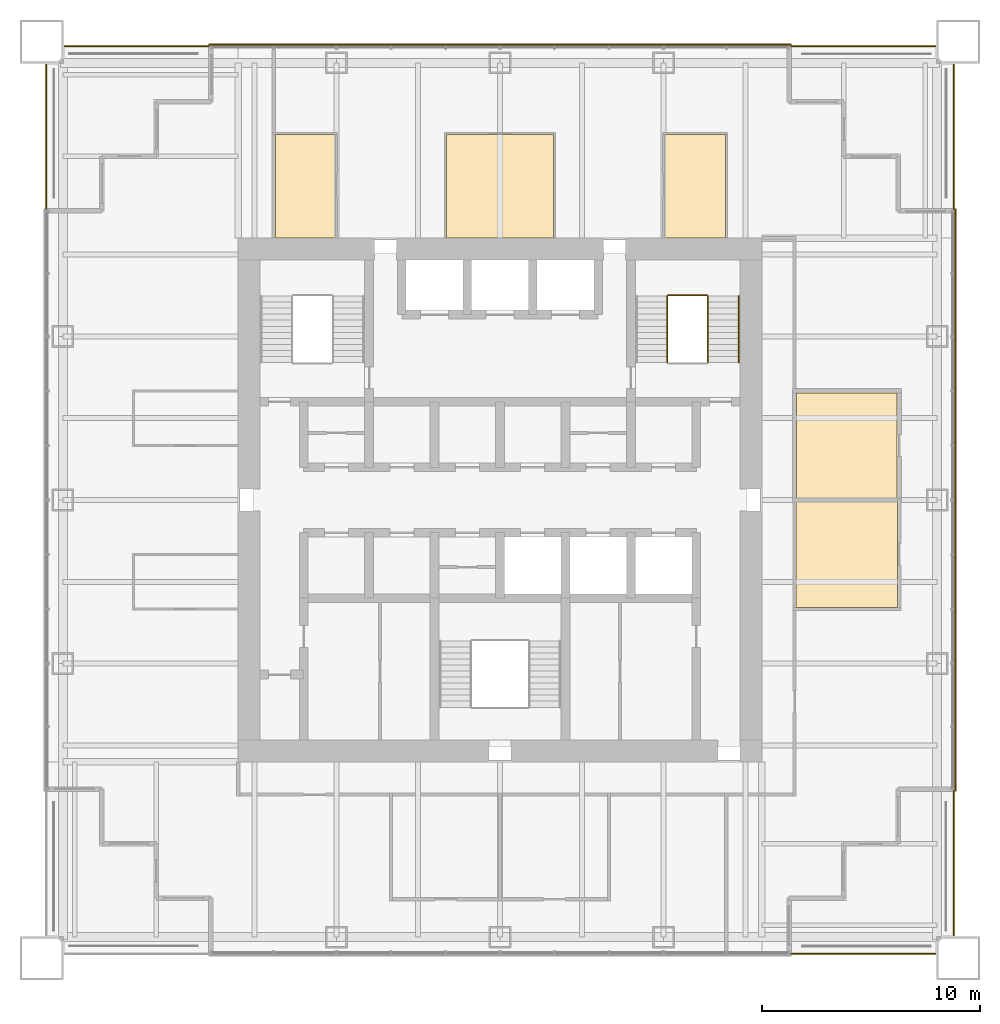
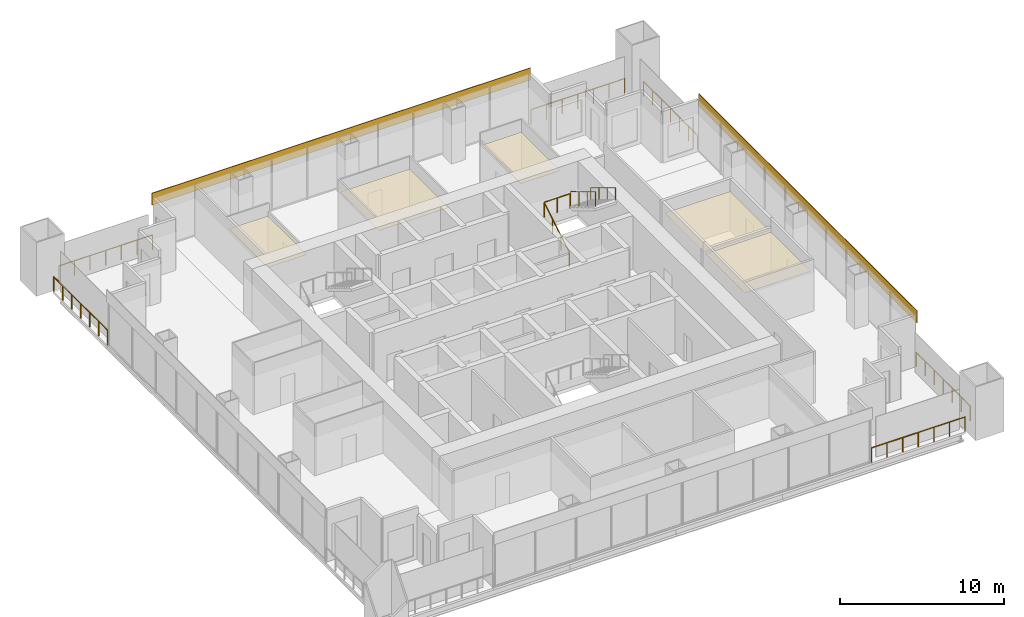
# One storey, part 14 of 14: 10 railings, 7 coverings.
"""IFC4 building model written with IfcOpenShell, lengths in metres."""

from ifc_helpers import new_model, si_unit, direction, frame, origin, origin_2d, place, context, subcontext, project, spatial, polyline, rectangle, circle, outline, extrude, material, layer, layer_set, type_object, element, save


model = new_model("IFC4")

# Units and contexts
model_context = context("Model", 3, precision=1e-05, world=origin(), true_north=direction((0.0, 1.0)))
body_context = subcontext(model_context, "Body", "Model", "MODEL_VIEW")
ifc_project = project(units=[si_unit("LENGTHUNIT", "METRE"), si_unit("AREAUNIT", "SQUARE_METRE"), si_unit("VOLUMEUNIT", "CUBIC_METRE"), si_unit("PLANEANGLEUNIT", "RADIAN"), si_unit("MASSUNIT", "GRAM", prefix="KILO")], contexts=[model_context])

# Site, building, storey
site_placement = place(None, origin())
site = spatial("IfcSite", under=ifc_project, at=site_placement, CompositionType="ELEMENT")
building_placement = place(site_placement, origin())
building = spatial("IfcBuilding", under=site, at=building_placement, Name="Tarangal Relay Tower", CompositionType="ELEMENT")
storey_placement = place(building_placement, frame((0.0, 0.0, 291.89990234375)))
storey = spatial("IfcBuildingStorey", under=building, at=storey_placement, Name="L64", CompositionType="ELEMENT", Elevation=291.89990234375)

# Coverings
ifc_material_1 = material(Name="Black anodised aluminium cladding", Category="aluminium")
ifc_layer_1 = layer(ifc_material_1, 0.050048828125)
ifc_layer_set_1 = layer_set([ifc_layer_1], Name="Black metal spandrel band")
covering_type_1 = type_object("IfcCoveringType", Name="Black metal spandrel band", PredefinedType="CLADDING", material=ifc_layer_set_1)
for number, where, z_axis, x_axis, name in (
    (1, (0.0, 20.875, 3.250244140625), (0.0, 0.0, 1.0), (1.0, 0.0, 0.0), "Spandrel band SB1 N L64"),
    (2, (20.875, 0.0, 3.250244140625), (0.0, 0.0, 1.0), (0.0, -1.0, 0.0), "Spandrel band SB1 E L64"),
):
    element("IfcCovering", number, at=place(storey_placement, frame(where, z_axis=z_axis, x_axis=x_axis)), inside=storey, type_object=covering_type_1, Name=name, PredefinedType="CLADDING", context=body_context, shape_type="SweptSolid", body=[
        extrude(rectangle(XDim=26.699951171875, YDim=0.050048828125, at=origin_2d()), origin(), (0.0, 0.0, 1.0), 0.89990234375),
    ])

# Railings
ifc_material_2 = material(Name="Steel guard, black finish", Category="steel")
railing_type_1 = type_object("IfcRailingType", Name="Stair guard 1100", PredefinedType="GUARDRAIL", material=ifc_material_2)
railing_1_placement = place(storey_placement, frame((7.669921875, 6.300048828125, 0.166748046875)))
element("IfcRailing", 3, at=railing_1_placement, inside=storey, type_object=railing_type_1, Name="Stair ST-B guard GR1 L64 flight 1", PredefinedType="GUARDRAIL", context=body_context, shape_type="SweptSolid", body=[
    extrude(circle(Radius=0.02392578125, at=origin_2d()), frame((0.0, 0.0, 1.076171875), z_axis=(0.0, 0.85685617095, 0.515555527858), x_axis=(-1.0, 0.0, 0.0)), (0.0, 0.0, 1.0), 3.555908203125),
    extrude(circle(Radius=0.02099609375, at=origin_2d()), origin(), (0.0, 0.0, 1.0), 1.052001953125),
    extrude(circle(Radius=0.02099609375, at=origin_2d()), frame((0.0, 1.015625, 0.611083984375)), (0.0, 0.0, 1.0), 1.052001953125),
    extrude(circle(Radius=0.02099609375, at=origin_2d()), frame((0.0, 2.03125, 1.22216796875)), (0.0, 0.0, 1.0), 1.052001953125),
    extrude(circle(Radius=0.02099609375, at=origin_2d()), frame((0.0, 3.046875, 1.833251953125)), (0.0, 0.0, 1.0), 1.052001953125),
])
railing_2_placement = place(storey_placement, frame((9.530029296875, 9.346923828125, 2.166748046875)))
element("IfcRailing", 4, at=railing_2_placement, inside=storey, type_object=railing_type_1, Name="Stair ST-B guard GR1 L64 flight 2", PredefinedType="GUARDRAIL", context=body_context, shape_type="SweptSolid", body=[
    extrude(circle(Radius=0.02392578125, at=origin_2d()), frame((0.0, 0.0, 1.076171875), z_axis=(0.0, -0.85685617095, 0.515555527858), x_axis=(1.0, 0.0, 0.0)), (0.0, 0.0, 1.0), 3.555908203125),
    extrude(circle(Radius=0.02099609375, at=origin_2d()), origin(), (0.0, 0.0, 1.0), 1.052001953125),
    extrude(circle(Radius=0.02099609375, at=origin_2d()), frame((0.0, -1.015625, 0.611083984375)), (0.0, 0.0, 1.0), 1.052001953125),
    extrude(circle(Radius=0.02099609375, at=origin_2d()), frame((0.0, -2.03125, 1.22216796875)), (0.0, 0.0, 1.0), 1.052001953125),
    extrude(circle(Radius=0.02099609375, at=origin_2d()), frame((0.0, -3.046875, 1.833251953125)), (0.0, 0.0, 1.0), 1.052001953125),
])
railing_3_placement = place(storey_placement, frame((7.699951171875, 9.376953125, 2.0)))
element("IfcRailing", 5, at=railing_3_placement, inside=storey, type_object=railing_type_1, Name="Stair ST-B landing guard GR1 L64", PredefinedType="GUARDRAIL", context=body_context, shape_type="SweptSolid", body=[
    extrude(circle(Radius=0.02392578125, at=origin_2d()), frame((0.0, 0.0, 1.076171875), z_axis=(1.0, 0.0, 0.0), x_axis=(0.0, 1.0, 0.0)), (0.0, 0.0, 1.0), 1.800048828125),
    extrude(circle(Radius=0.02099609375, at=origin_2d()), origin(), (0.0, 0.0, 1.0), 1.052001953125),
    extrude(circle(Radius=0.02099609375, at=origin_2d()), frame((0.89990234375, 0.0, 0.0)), (0.0, 0.0, 1.0), 1.052001953125),
    extrude(circle(Radius=0.02099609375, at=origin_2d()), frame((1.800048828125, 0.0, 0.0)), (0.0, 0.0, 1.0), 1.052001953125),
])
ifc_material_3 = material(Name="Steel handrail, black finish", Category="steel")
railing_type_2 = type_object("IfcRailingType", Name="Stair handrail 900", PredefinedType="HANDRAIL", material=ifc_material_3)
railing_4_placement = place(storey_placement, frame((10.93994140625, 9.346923828125, 2.166748046875)))
element("IfcRailing", 6, at=railing_4_placement, inside=storey, type_object=railing_type_2, Name="Stair ST-B handrail HR1 L64 flight 2", PredefinedType="HANDRAIL", context=body_context, shape_type="SweptSolid", body=[
    extrude(circle(Radius=0.02392578125, at=origin_2d()), frame((0.0, 0.0, 0.8759765625), z_axis=(0.0, -0.85685617095, 0.515555527858), x_axis=(1.0, 0.0, 0.0)), (0.0, 0.0, 1.0), 3.555908203125),
    extrude(circle(Radius=0.02099609375, at=origin_2d()), origin(), (0.0, 0.0, 1.0), 0.851806640625),
    extrude(circle(Radius=0.02099609375, at=origin_2d()), frame((0.0, -1.015625, 0.611083984375)), (0.0, 0.0, 1.0), 0.851806640625),
    extrude(circle(Radius=0.02099609375, at=origin_2d()), frame((0.0, -2.03125, 1.22216796875)), (0.0, 0.0, 1.0), 0.851806640625),
    extrude(circle(Radius=0.02099609375, at=origin_2d()), frame((0.0, -3.046875, 1.833251953125)), (0.0, 0.0, 1.0), 0.851806640625),
])

# Coverings
ifc_material_4 = material(Name="Mineral fibre ceiling tiles", Category="gypsum")
ifc_layer_2 = layer(ifc_material_4, 0.02001953125)
ifc_layer_set_2 = layer_set([ifc_layer_2], Name="Suspended ceiling")
covering_type_2 = type_object("IfcCoveringType", Name="Suspended ceiling", PredefinedType="CEILING", material=ifc_layer_set_2)
covering_1_placement = place(storey_placement, frame((0.0, 0.0, 2.900146484375)))
element("IfcCovering", 7, at=covering_1_placement, inside=storey, type_object=covering_type_2, Name="Suspended ceiling CL1 L64-02", PredefinedType="CEILING", context=body_context, shape_type="SweptSolid", body=[
    extrude(outline(polyline([(-7.550048828125, 12.0), (-7.550048828125, 16.75), (-10.300048828125, 16.75), (-10.300048828125, 12.0), (-7.550048828125, 12.0)])), origin(), (0.0, 0.0, 1.0), 0.02001953125),
])
covering_2_placement = place(storey_placement, frame((0.0, 0.0, 2.900146484375)))
element("IfcCovering", 8, at=covering_2_placement, inside=storey, type_object=covering_type_2, Name="Suspended ceiling CL1 L64-03", PredefinedType="CEILING", context=body_context, shape_type="SweptSolid", body=[
    extrude(outline(polyline([(2.449951171875, 12.0), (2.449951171875, 16.75), (-2.449951171875, 16.75), (-2.449951171875, 12.0), (2.449951171875, 12.0)])), origin(), (0.0, 0.0, 1.0), 0.02001953125),
])
covering_3_placement = place(storey_placement, frame((0.0, 0.0, 2.900146484375)))
element("IfcCovering", 9, at=covering_3_placement, inside=storey, type_object=covering_type_2, Name="Suspended ceiling CL1 L64-04", PredefinedType="CEILING", context=body_context, shape_type="SweptSolid", body=[
    extrude(outline(polyline([(10.324951171875, 12.0), (10.324951171875, 16.75), (7.550048828125, 16.75), (7.550048828125, 12.0), (10.324951171875, 12.0)])), origin(), (0.0, 0.0, 1.0), 0.02001953125),
])
covering_4_placement = place(storey_placement, frame((0.0, 0.0, 2.900146484375)))
element("IfcCovering", 10, at=covering_4_placement, inside=storey, type_object=covering_type_2, Name="Suspended ceiling CL1 L64-05", PredefinedType="CEILING", context=body_context, shape_type="SweptSolid", body=[
    extrude(outline(polyline([(18.199951171875, 0.10009765625), (18.199951171875, 4.89990234375), (13.60009765625, 4.89990234375), (13.60009765625, 0.10009765625), (18.199951171875, 0.10009765625)])), origin(), (0.0, 0.0, 1.0), 0.02001953125),
])
covering_5_placement = place(storey_placement, frame((0.0, 0.0, 2.900146484375)))
element("IfcCovering", 11, at=covering_5_placement, inside=storey, type_object=covering_type_2, Name="Suspended ceiling CL1 L64-06", PredefinedType="CEILING", context=body_context, shape_type="SweptSolid", body=[
    extrude(outline(polyline([(18.22509765625, -0.10009765625), (13.574951171875, -0.10009765625), (13.574951171875, -4.925048828125), (18.22509765625, -4.925048828125), (18.22509765625, -0.10009765625)])), origin(), (0.0, 0.0, 1.0), 0.02001953125),
])

# Railings
ifc_material_5 = material(Name="Black steel guard with glass infill", Category="steel")
railing_type_3 = type_object("IfcRailingType", Name="Terrace guard 1100", PredefinedType="GUARDRAIL", material=ifc_material_5)
railing_5_placement = place(storey_placement, frame((13.35009765625, 20.800048828125, 0.0)))
element("IfcRailing", 12, at=railing_5_placement, inside=storey, type_object=railing_type_3, Name="Terrace guard GR2 NE L64", PredefinedType="GUARDRAIL", context=body_context, shape_type="SweptSolid", body=[
    extrude(circle(Radius=0.02392578125, at=origin_2d()), frame((0.0, 0.0, 1.076171875), z_axis=(1.0, 0.0, 0.0), x_axis=(0.0, 1.0, 0.0)), (0.0, 0.0, 1.0), 6.599853515625),
    extrude(circle(Radius=0.02099609375, at=origin_2d()), origin(), (0.0, 0.0, 1.0), 1.052001953125),
    extrude(circle(Radius=0.02099609375, at=origin_2d()), frame((1.10009765625, 0.0, 0.0)), (0.0, 0.0, 1.0), 1.052001953125),
    extrude(circle(Radius=0.02099609375, at=origin_2d()), frame((2.199951171875, 0.0, 0.0)), (0.0, 0.0, 1.0), 1.052001953125),
    extrude(circle(Radius=0.02099609375, at=origin_2d()), frame((3.2998046875, 0.0, 0.0)), (0.0, 0.0, 1.0), 1.052001953125),
    extrude(circle(Radius=0.02099609375, at=origin_2d()), frame((4.39990234375, 0.0, 0.0)), (0.0, 0.0, 1.0), 1.052001953125),
    extrude(circle(Radius=0.02099609375, at=origin_2d()), frame((5.5, 0.0, 0.0)), (0.0, 0.0, 1.0), 1.052001953125),
    extrude(circle(Radius=0.02099609375, at=origin_2d()), frame((6.599853515625, 0.0, 0.0)), (0.0, 0.0, 1.0), 1.052001953125),
])
for number, where, name in (
    (13, (20.800048828125, 19.949951171875, 0.0), "Terrace guard GR2 NE L64"),
    (14, (20.800048828125, -13.35009765625, 0.0), "Terrace guard GR2 SE L64"),
):
    element("IfcRailing", number, at=place(storey_placement, frame(where)), inside=storey, type_object=railing_type_3, Name=name, PredefinedType="GUARDRAIL", context=body_context, shape_type="SweptSolid", body=[
        extrude(circle(Radius=0.02392578125, at=origin_2d()), frame((0.0, 0.0, 1.076171875), z_axis=(0.0, -1.0, 0.0), x_axis=(1.0, 0.0, 0.0)), (0.0, 0.0, 1.0), 6.599853515625),
        extrude(circle(Radius=0.02099609375, at=origin_2d()), origin(), (0.0, 0.0, 1.0), 1.052001953125),
        extrude(circle(Radius=0.02099609375, at=origin_2d()), frame((0.0, -1.10009765625, 0.0)), (0.0, 0.0, 1.0), 1.052001953125),
        extrude(circle(Radius=0.02099609375, at=origin_2d()), frame((0.0, -2.199951171875, 0.0)), (0.0, 0.0, 1.0), 1.052001953125),
        extrude(circle(Radius=0.02099609375, at=origin_2d()), frame((0.0, -3.2998046875, 0.0)), (0.0, 0.0, 1.0), 1.052001953125),
        extrude(circle(Radius=0.02099609375, at=origin_2d()), frame((0.0, -4.39990234375, 0.0)), (0.0, 0.0, 1.0), 1.052001953125),
        extrude(circle(Radius=0.02099609375, at=origin_2d()), frame((0.0, -5.5, 0.0)), (0.0, 0.0, 1.0), 1.052001953125),
        extrude(circle(Radius=0.02099609375, at=origin_2d()), frame((0.0, -6.599853515625, 0.0)), (0.0, 0.0, 1.0), 1.052001953125),
    ])
railing_6_placement = place(storey_placement, frame((19.949951171875, -20.800048828125, 0.0)))
element("IfcRailing", 15, at=railing_6_placement, inside=storey, type_object=railing_type_3, Name="Terrace guard GR2 SE L64", PredefinedType="GUARDRAIL", context=body_context, shape_type="SweptSolid", body=[
    extrude(circle(Radius=0.02392578125, at=origin_2d()), frame((0.0, 0.0, 1.076171875), z_axis=(-1.0, 0.0, 0.0), x_axis=(0.0, -1.0, 0.0)), (0.0, 0.0, 1.0), 6.599853515625),
    extrude(circle(Radius=0.02099609375, at=origin_2d()), origin(), (0.0, 0.0, 1.0), 1.052001953125),
    extrude(circle(Radius=0.02099609375, at=origin_2d()), frame((-1.10009765625, 0.0, 0.0)), (0.0, 0.0, 1.0), 1.052001953125),
    extrude(circle(Radius=0.02099609375, at=origin_2d()), frame((-2.199951171875, 0.0, 0.0)), (0.0, 0.0, 1.0), 1.052001953125),
    extrude(circle(Radius=0.02099609375, at=origin_2d()), frame((-3.2998046875, 0.0, 0.0)), (0.0, 0.0, 1.0), 1.052001953125),
    extrude(circle(Radius=0.02099609375, at=origin_2d()), frame((-4.39990234375, 0.0, 0.0)), (0.0, 0.0, 1.0), 1.052001953125),
    extrude(circle(Radius=0.02099609375, at=origin_2d()), frame((-5.5, 0.0, 0.0)), (0.0, 0.0, 1.0), 1.052001953125),
    extrude(circle(Radius=0.02099609375, at=origin_2d()), frame((-6.599853515625, 0.0, 0.0)), (0.0, 0.0, 1.0), 1.052001953125),
])
railing_7_placement = place(storey_placement, frame((-20.800048828125, 13.35009765625, 0.0)))
element("IfcRailing", 16, at=railing_7_placement, inside=storey, type_object=railing_type_3, Name="Terrace guard GR2 NW L64", PredefinedType="GUARDRAIL", context=body_context, shape_type="SweptSolid", body=[
    extrude(circle(Radius=0.02392578125, at=origin_2d()), frame((0.0, 0.0, 1.076171875), z_axis=(0.0, 1.0, 0.0), x_axis=(-1.0, 0.0, 0.0)), (0.0, 0.0, 1.0), 6.599853515625),
    extrude(circle(Radius=0.02099609375, at=origin_2d()), origin(), (0.0, 0.0, 1.0), 1.052001953125),
    extrude(circle(Radius=0.02099609375, at=origin_2d()), frame((0.0, 1.10009765625, 0.0)), (0.0, 0.0, 1.0), 1.052001953125),
    extrude(circle(Radius=0.02099609375, at=origin_2d()), frame((0.0, 2.199951171875, 0.0)), (0.0, 0.0, 1.0), 1.052001953125),
    extrude(circle(Radius=0.02099609375, at=origin_2d()), frame((0.0, 3.2998046875, 0.0)), (0.0, 0.0, 1.0), 1.052001953125),
    extrude(circle(Radius=0.02099609375, at=origin_2d()), frame((0.0, 4.39990234375, 0.0)), (0.0, 0.0, 1.0), 1.052001953125),
    extrude(circle(Radius=0.02099609375, at=origin_2d()), frame((0.0, 5.5, 0.0)), (0.0, 0.0, 1.0), 1.052001953125),
    extrude(circle(Radius=0.02099609375, at=origin_2d()), frame((0.0, 6.599853515625, 0.0)), (0.0, 0.0, 1.0), 1.052001953125),
])
railing_8_placement = place(storey_placement, frame((-19.949951171875, 20.800048828125, 0.0)))
element("IfcRailing", 17, at=railing_8_placement, inside=storey, type_object=railing_type_3, Name="Terrace guard GR2 NW L64", PredefinedType="GUARDRAIL", context=body_context, shape_type="SweptSolid", body=[
    extrude(circle(Radius=0.02392578125, at=origin_2d()), frame((0.0, 0.0, 1.076171875), z_axis=(1.0, 0.0, 0.0), x_axis=(0.0, 1.0, 0.0)), (0.0, 0.0, 1.0), 6.599853515625),
    extrude(circle(Radius=0.02099609375, at=origin_2d()), origin(), (0.0, 0.0, 1.0), 1.052001953125),
    extrude(circle(Radius=0.02099609375, at=origin_2d()), frame((1.10009765625, 0.0, 0.0)), (0.0, 0.0, 1.0), 1.052001953125),
    extrude(circle(Radius=0.02099609375, at=origin_2d()), frame((2.199951171875, 0.0, 0.0)), (0.0, 0.0, 1.0), 1.052001953125),
    extrude(circle(Radius=0.02099609375, at=origin_2d()), frame((3.2998046875, 0.0, 0.0)), (0.0, 0.0, 1.0), 1.052001953125),
    extrude(circle(Radius=0.02099609375, at=origin_2d()), frame((4.39990234375, 0.0, 0.0)), (0.0, 0.0, 1.0), 1.052001953125),
    extrude(circle(Radius=0.02099609375, at=origin_2d()), frame((5.5, 0.0, 0.0)), (0.0, 0.0, 1.0), 1.052001953125),
    extrude(circle(Radius=0.02099609375, at=origin_2d()), frame((6.599853515625, 0.0, 0.0)), (0.0, 0.0, 1.0), 1.052001953125),
])

save(model, "model.ifc")
